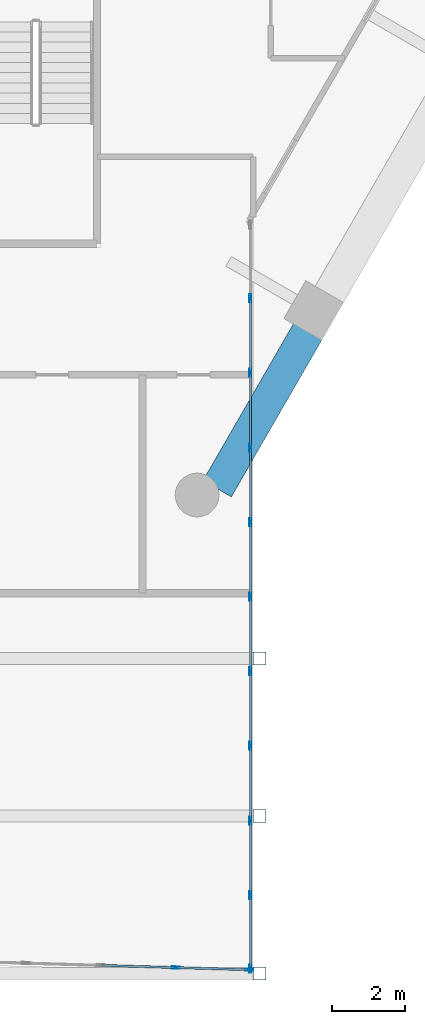
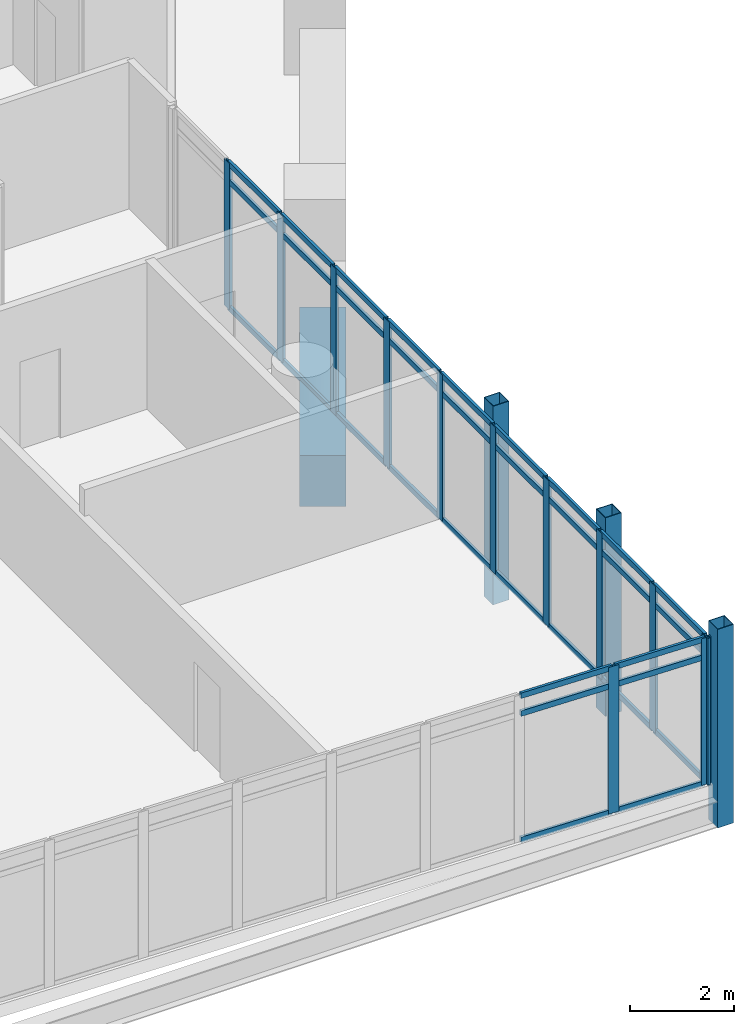
# One storey, part 10 of 28: 48 members, 1 beam, 2 elements without a shape of their own.
"""IFC4 building model written with IfcOpenShell, lengths in metres."""

from ifc_helpers import new_model, si_unit, direction, frame, origin, origin_2d, place, context, subcontext, project, spatial, rectangle, hollow_rectangle, extrude, material, material_profile, profile_set, type_object, element, aggregate, save


model = new_model("IFC4")

# Units and contexts
model_context = context("Model", 3, precision=1e-05, world=origin(), true_north=direction((0.0, 1.0)))
body_context = subcontext(model_context, "Body", "Model", "MODEL_VIEW")
ifc_project = project(units=[si_unit("LENGTHUNIT", "METRE"), si_unit("AREAUNIT", "SQUARE_METRE"), si_unit("VOLUMEUNIT", "CUBIC_METRE"), si_unit("PLANEANGLEUNIT", "RADIAN"), si_unit("MASSUNIT", "GRAM", prefix="KILO")], contexts=[model_context])

# Site, building, storey
site_placement = place(None, origin())
site = spatial("IfcSite", under=ifc_project, at=site_placement, CompositionType="ELEMENT")
building_placement = place(site_placement, origin())
building = spatial("IfcBuilding", under=site, at=building_placement, Name="Ostrander Bayou Hotel Tower", CompositionType="ELEMENT")
storey_placement = place(building_placement, frame((0.0, 0.0, 142.25)))
storey = spatial("IfcBuildingStorey", under=building, at=storey_placement, Name="L35", CompositionType="ELEMENT", Elevation=142.25)

# Curtain wall, members
ifc_material_1 = material(Name="Aluminium and clear glass", Category="aluminium")
curtain_wall_type = type_object("IfcCurtainWallType", Name="CW-BAR glazed wall", PredefinedType="NOTDEFINED", material=ifc_material_1)
curtain_wall_1_placement = place(storey_placement, origin())
curtain_wall_1 = element("IfcCurtainWall", 1, at=curtain_wall_1_placement, inside=storey, type_object=curtain_wall_type, Name="CW-BAR L35:SB3S:T", PredefinedType="NOTDEFINED")
ifc_material_2 = material(Name="Aluminium", Category="aluminium")
ifc_material_profile_1 = material_profile(ifc_material_2, hollow_rectangle(XDim=0.06005859375, YDim=0.219970703125, WallThickness=0.00390625, at=origin_2d()))
ifc_profile_set_1 = profile_set([ifc_material_profile_1], Name="Aluminium")
member_type_1 = type_object("IfcMemberType", Name="CW-BR mullion 60 x 220 mm", PredefinedType="MULLION", material=ifc_profile_set_1)
member_1_placement = place(storey_placement, frame((11.310791015625, -31.28662109375, 0.0), z_axis=(0.0, 0.0, 1.0), x_axis=(0.029746242041, 0.999557482631, 0.0)))
member_1 = element("IfcMember", 2, at=member_1_placement, type_object=member_type_1, Name="CW-BAR mullion 13", PredefinedType="MULLION", context=body_context, shape_type="SweptSolid", body=[
    extrude(hollow_rectangle(XDim=0.06005859375, YDim=0.219970703125, WallThickness=0.00390625, at=origin_2d()), origin(), (0.0, 0.0, 1.0), 3.449951171875),
])
member_2_placement = place(storey_placement, frame((13.337158203125, -31.346923828125, 0.0), z_axis=(0.0, 0.0, 1.0), x_axis=(0.029746242041, 0.999557482631, 0.0)))
member_2 = element("IfcMember", 3, at=member_2_placement, type_object=member_type_1, Name="CW-BAR mullion 14", PredefinedType="MULLION", context=body_context, shape_type="SweptSolid", body=[
    extrude(hollow_rectangle(XDim=0.06005859375, YDim=0.219970703125, WallThickness=0.00390625, at=origin_2d()), origin(), (0.0, 0.0, 1.0), 3.449951171875),
])

curtain_wall_2_placement = place(storey_placement, origin())
curtain_wall_2 = element("IfcCurtainWall", 4, at=curtain_wall_2_placement, inside=storey, type_object=curtain_wall_type, Name="CW-BAR L35:SB3S:W", PredefinedType="NOTDEFINED")
member_3_placement = place(storey_placement, frame((13.3671875, -12.8974609375, 0.0), z_axis=(0.0, 0.0, 1.0), x_axis=(1.0, 0.0, 0.0)))
member_3 = element("IfcMember", 5, at=member_3_placement, type_object=member_type_1, Name="CW-BAR mullion 2", PredefinedType="MULLION", context=body_context, shape_type="SweptSolid", body=[
    extrude(hollow_rectangle(XDim=0.06005859375, YDim=0.219970703125, WallThickness=0.00390625, at=origin_2d()), origin(), (0.0, 0.0, 1.0), 3.449951171875),
])
member_4_placement = place(storey_placement, frame((13.3671875, -14.947509765625, 0.0), z_axis=(0.0, 0.0, 1.0), x_axis=(1.0, 0.0, 0.0)))
member_4 = element("IfcMember", 6, at=member_4_placement, type_object=member_type_1, Name="CW-BAR mullion 3", PredefinedType="MULLION", context=body_context, shape_type="SweptSolid", body=[
    extrude(hollow_rectangle(XDim=0.06005859375, YDim=0.219970703125, WallThickness=0.00390625, at=origin_2d()), origin(), (0.0, 0.0, 1.0), 3.449951171875),
])
member_5_placement = place(storey_placement, frame((13.3671875, -16.99755859375, 0.0), z_axis=(0.0, 0.0, 1.0), x_axis=(1.0, 0.0, 0.0)))
member_5 = element("IfcMember", 7, at=member_5_placement, type_object=member_type_1, Name="CW-BAR mullion 4", PredefinedType="MULLION", context=body_context, shape_type="SweptSolid", body=[
    extrude(hollow_rectangle(XDim=0.06005859375, YDim=0.219970703125, WallThickness=0.00390625, at=origin_2d()), origin(), (0.0, 0.0, 1.0), 3.449951171875),
])
member_6_placement = place(storey_placement, frame((13.3671875, -19.047607421875, 0.0), z_axis=(0.0, 0.0, 1.0), x_axis=(1.0, 0.0, 0.0)))
member_6 = element("IfcMember", 8, at=member_6_placement, type_object=member_type_1, Name="CW-BAR mullion 5", PredefinedType="MULLION", context=body_context, shape_type="SweptSolid", body=[
    extrude(hollow_rectangle(XDim=0.06005859375, YDim=0.219970703125, WallThickness=0.00390625, at=origin_2d()), origin(), (0.0, 0.0, 1.0), 3.449951171875),
])
member_7_placement = place(storey_placement, frame((13.3671875, -21.09765625, 0.0), z_axis=(0.0, 0.0, 1.0), x_axis=(1.0, 0.0, 0.0)))
member_7 = element("IfcMember", 9, at=member_7_placement, type_object=member_type_1, Name="CW-BAR mullion 6", PredefinedType="MULLION", context=body_context, shape_type="SweptSolid", body=[
    extrude(hollow_rectangle(XDim=0.06005859375, YDim=0.219970703125, WallThickness=0.00390625, at=origin_2d()), origin(), (0.0, 0.0, 1.0), 3.449951171875),
])
member_8_placement = place(storey_placement, frame((13.3671875, -23.147705078125, 0.0), z_axis=(0.0, 0.0, 1.0), x_axis=(1.0, 0.0, 0.0)))
member_8 = element("IfcMember", 10, at=member_8_placement, type_object=member_type_1, Name="CW-BAR mullion 7", PredefinedType="MULLION", context=body_context, shape_type="SweptSolid", body=[
    extrude(hollow_rectangle(XDim=0.06005859375, YDim=0.219970703125, WallThickness=0.00390625, at=origin_2d()), origin(), (0.0, 0.0, 1.0), 3.449951171875),
])
member_9_placement = place(storey_placement, frame((13.3671875, -25.19775390625, 0.0), z_axis=(0.0, 0.0, 1.0), x_axis=(1.0, 0.0, 0.0)))
member_9 = element("IfcMember", 11, at=member_9_placement, type_object=member_type_1, Name="CW-BAR mullion 8", PredefinedType="MULLION", context=body_context, shape_type="SweptSolid", body=[
    extrude(hollow_rectangle(XDim=0.06005859375, YDim=0.219970703125, WallThickness=0.00390625, at=origin_2d()), origin(), (0.0, 0.0, 1.0), 3.449951171875),
])
member_10_placement = place(storey_placement, frame((13.3671875, -27.247802734375, 0.0), z_axis=(0.0, 0.0, 1.0), x_axis=(1.0, 0.0, 0.0)))
member_10 = element("IfcMember", 12, at=member_10_placement, type_object=member_type_1, Name="CW-BAR mullion 9", PredefinedType="MULLION", context=body_context, shape_type="SweptSolid", body=[
    extrude(hollow_rectangle(XDim=0.06005859375, YDim=0.219970703125, WallThickness=0.00390625, at=origin_2d()), origin(), (0.0, 0.0, 1.0), 3.449951171875),
])
member_11_placement = place(storey_placement, frame((13.3671875, -29.2978515625, 0.0), z_axis=(0.0, 0.0, 1.0), x_axis=(1.0, 0.0, 0.0)))
member_11 = element("IfcMember", 13, at=member_11_placement, type_object=member_type_1, Name="CW-BAR mullion 10", PredefinedType="MULLION", context=body_context, shape_type="SweptSolid", body=[
    extrude(hollow_rectangle(XDim=0.06005859375, YDim=0.219970703125, WallThickness=0.00390625, at=origin_2d()), origin(), (0.0, 0.0, 1.0), 3.449951171875),
])
member_12_placement = place(storey_placement, frame((13.3671875, -31.31787109375, 0.0), z_axis=(0.0, 0.0, 1.0), x_axis=(1.0, 0.0, 0.0)))
member_12 = element("IfcMember", 14, at=member_12_placement, type_object=member_type_1, Name="CW-BAR mullion 11", PredefinedType="MULLION", context=body_context, shape_type="SweptSolid", body=[
    extrude(hollow_rectangle(XDim=0.06005859375, YDim=0.219970703125, WallThickness=0.00390625, at=origin_2d()), origin(), (0.0, 0.0, 1.0), 3.449951171875),
])

# Member
ifc_material_3 = material(Name="Aluminium", Category="aluminium")
ifc_material_profile_2 = material_profile(ifc_material_3, hollow_rectangle(XDim=0.06005859375, YDim=0.1298828125, WallThickness=0.00390625, at=origin_2d()))
ifc_profile_set_2 = profile_set([ifc_material_profile_2], Name="Aluminium")
member_type_2 = type_object("IfcMemberType", Name="CW-BR transom 60 x 130 mm", PredefinedType="USERDEFINED", material=ifc_profile_set_2)
member_13_placement = place(storey_placement, frame((9.2841796875, -31.226318359375, 0.030029296875), z_axis=(0.999558835181, -0.029700757758, 0.0), x_axis=(0.029700757758, 0.999558835181, 0.0)))
member_13 = element("IfcMember", 15, at=member_13_placement, type_object=member_type_2, Name="CW-BAR transom 12.1", ObjectType="TRANSOM", PredefinedType="USERDEFINED", context=body_context, shape_type="SweptSolid", body=[
    extrude(hollow_rectangle(XDim=0.06005859375, YDim=0.1298828125, WallThickness=0.00390625, at=origin_2d()), origin(), (0.0, 0.0, 1.0), 1.99755859375),
])

member_14_placement = place(storey_placement, frame((9.2841796875, -31.226318359375, 3.0), z_axis=(0.999558835181, -0.029700757758, 0.0), x_axis=(0.029700757758, 0.999558835181, 0.0)))
member_14 = element("IfcMember", 16, at=member_14_placement, type_object=member_type_2, Name="CW-BAR transom 12.2", ObjectType="TRANSOM", PredefinedType="USERDEFINED", context=body_context, shape_type="SweptSolid", body=[
    extrude(hollow_rectangle(XDim=0.06005859375, YDim=0.1298828125, WallThickness=0.00390625, at=origin_2d()), origin(), (0.0, 0.0, 1.0), 1.99755859375),
])

member_15_placement = place(storey_placement, frame((9.2841796875, -31.226318359375, 3.419921875), z_axis=(0.999558835181, -0.029700757758, 0.0), x_axis=(0.029700757758, 0.999558835181, 0.0)))
member_15 = element("IfcMember", 17, at=member_15_placement, type_object=member_type_2, Name="CW-BAR transom 12.3", ObjectType="TRANSOM", PredefinedType="USERDEFINED", context=body_context, shape_type="SweptSolid", body=[
    extrude(hollow_rectangle(XDim=0.06005859375, YDim=0.1298828125, WallThickness=0.00390625, at=origin_2d()), origin(), (0.0, 0.0, 1.0), 1.99755859375),
])

member_16_placement = place(storey_placement, frame((11.340576171875, -31.28759765625, 0.030029296875), z_axis=(0.99956010596, -0.029657959693, 0.0), x_axis=(0.029657959693, 0.99956010596, 0.0)))
member_16 = element("IfcMember", 18, at=member_16_placement, type_object=member_type_2, Name="CW-BAR transom 13.1", ObjectType="TRANSOM", PredefinedType="USERDEFINED", context=body_context, shape_type="SweptSolid", body=[
    extrude(hollow_rectangle(XDim=0.06005859375, YDim=0.1298828125, WallThickness=0.00390625, at=origin_2d()), origin(), (0.0, 0.0, 1.0), 1.967529296875),
])

member_17_placement = place(storey_placement, frame((11.340576171875, -31.28759765625, 3.0), z_axis=(0.99956010596, -0.029657959693, 0.0), x_axis=(0.029657959693, 0.99956010596, 0.0)))
member_17 = element("IfcMember", 19, at=member_17_placement, type_object=member_type_2, Name="CW-BAR transom 13.2", ObjectType="TRANSOM", PredefinedType="USERDEFINED", context=body_context, shape_type="SweptSolid", body=[
    extrude(hollow_rectangle(XDim=0.06005859375, YDim=0.1298828125, WallThickness=0.00390625, at=origin_2d()), origin(), (0.0, 0.0, 1.0), 1.967529296875),
])

member_18_placement = place(storey_placement, frame((11.340576171875, -31.28759765625, 3.419921875), z_axis=(0.99956010596, -0.029657959693, 0.0), x_axis=(0.029657959693, 0.99956010596, 0.0)))
member_18 = element("IfcMember", 20, at=member_18_placement, type_object=member_type_2, Name="CW-BAR transom 13.3", ObjectType="TRANSOM", PredefinedType="USERDEFINED", context=body_context, shape_type="SweptSolid", body=[
    extrude(hollow_rectangle(XDim=0.06005859375, YDim=0.1298828125, WallThickness=0.00390625, at=origin_2d()), origin(), (0.0, 0.0, 1.0), 1.967529296875),
])

aggregate(curtain_wall_1, [member_1, member_2, member_13, member_14, member_15, member_16, member_17, member_18])

member_19_placement = place(storey_placement, frame((13.3671875, -12.92724609375, 0.030029296875), z_axis=(0.0, -1.0, 0.0), x_axis=(1.0, 0.0, 0.0)))
member_19 = element("IfcMember", 21, at=member_19_placement, type_object=member_type_2, Name="CW-BAR transom 2.1", ObjectType="TRANSOM", PredefinedType="USERDEFINED", context=body_context, shape_type="SweptSolid", body=[
    extrude(hollow_rectangle(XDim=0.06005859375, YDim=0.1298828125, WallThickness=0.00390625, at=origin_2d()), origin(), (0.0, 0.0, 1.0), 1.990234375),
])

member_20_placement = place(storey_placement, frame((13.3671875, -12.92724609375, 3.0), z_axis=(0.0, -1.0, 0.0), x_axis=(1.0, 0.0, 0.0)))
member_20 = element("IfcMember", 22, at=member_20_placement, type_object=member_type_2, Name="CW-BAR transom 2.2", ObjectType="TRANSOM", PredefinedType="USERDEFINED", context=body_context, shape_type="SweptSolid", body=[
    extrude(hollow_rectangle(XDim=0.06005859375, YDim=0.1298828125, WallThickness=0.00390625, at=origin_2d()), origin(), (0.0, 0.0, 1.0), 1.990234375),
])

member_21_placement = place(storey_placement, frame((13.3671875, -12.92724609375, 3.419921875), z_axis=(0.0, -1.0, 0.0), x_axis=(1.0, 0.0, 0.0)))
member_21 = element("IfcMember", 23, at=member_21_placement, type_object=member_type_2, Name="CW-BAR transom 2.3", ObjectType="TRANSOM", PredefinedType="USERDEFINED", context=body_context, shape_type="SweptSolid", body=[
    extrude(hollow_rectangle(XDim=0.06005859375, YDim=0.1298828125, WallThickness=0.00390625, at=origin_2d()), origin(), (0.0, 0.0, 1.0), 1.990234375),
])

member_22_placement = place(storey_placement, frame((13.3671875, -14.977294921875, 0.030029296875), z_axis=(0.0, -1.0, 0.0), x_axis=(1.0, 0.0, 0.0)))
member_22 = element("IfcMember", 24, at=member_22_placement, type_object=member_type_2, Name="CW-BAR transom 3.1", ObjectType="TRANSOM", PredefinedType="USERDEFINED", context=body_context, shape_type="SweptSolid", body=[
    extrude(hollow_rectangle(XDim=0.06005859375, YDim=0.1298828125, WallThickness=0.00390625, at=origin_2d()), origin(), (0.0, 0.0, 1.0), 1.990234375),
])

member_23_placement = place(storey_placement, frame((13.3671875, -14.977294921875, 3.0), z_axis=(0.0, -1.0, 0.0), x_axis=(1.0, 0.0, 0.0)))
member_23 = element("IfcMember", 25, at=member_23_placement, type_object=member_type_2, Name="CW-BAR transom 3.2", ObjectType="TRANSOM", PredefinedType="USERDEFINED", context=body_context, shape_type="SweptSolid", body=[
    extrude(hollow_rectangle(XDim=0.06005859375, YDim=0.1298828125, WallThickness=0.00390625, at=origin_2d()), origin(), (0.0, 0.0, 1.0), 1.990234375),
])

member_24_placement = place(storey_placement, frame((13.3671875, -14.977294921875, 3.419921875), z_axis=(0.0, -1.0, 0.0), x_axis=(1.0, 0.0, 0.0)))
member_24 = element("IfcMember", 26, at=member_24_placement, type_object=member_type_2, Name="CW-BAR transom 3.3", ObjectType="TRANSOM", PredefinedType="USERDEFINED", context=body_context, shape_type="SweptSolid", body=[
    extrude(hollow_rectangle(XDim=0.06005859375, YDim=0.1298828125, WallThickness=0.00390625, at=origin_2d()), origin(), (0.0, 0.0, 1.0), 1.990234375),
])

member_25_placement = place(storey_placement, frame((13.3671875, -17.02734375, 0.030029296875), z_axis=(0.0, -1.0, 0.0), x_axis=(1.0, 0.0, 0.0)))
member_25 = element("IfcMember", 27, at=member_25_placement, type_object=member_type_2, Name="CW-BAR transom 4.1", ObjectType="TRANSOM", PredefinedType="USERDEFINED", context=body_context, shape_type="SweptSolid", body=[
    extrude(hollow_rectangle(XDim=0.06005859375, YDim=0.1298828125, WallThickness=0.00390625, at=origin_2d()), origin(), (0.0, 0.0, 1.0), 1.990234375),
])

member_26_placement = place(storey_placement, frame((13.3671875, -17.02734375, 3.0), z_axis=(0.0, -1.0, 0.0), x_axis=(1.0, 0.0, 0.0)))
member_26 = element("IfcMember", 28, at=member_26_placement, type_object=member_type_2, Name="CW-BAR transom 4.2", ObjectType="TRANSOM", PredefinedType="USERDEFINED", context=body_context, shape_type="SweptSolid", body=[
    extrude(hollow_rectangle(XDim=0.06005859375, YDim=0.1298828125, WallThickness=0.00390625, at=origin_2d()), origin(), (0.0, 0.0, 1.0), 1.990234375),
])

member_27_placement = place(storey_placement, frame((13.3671875, -17.02734375, 3.419921875), z_axis=(0.0, -1.0, 0.0), x_axis=(1.0, 0.0, 0.0)))
member_27 = element("IfcMember", 29, at=member_27_placement, type_object=member_type_2, Name="CW-BAR transom 4.3", ObjectType="TRANSOM", PredefinedType="USERDEFINED", context=body_context, shape_type="SweptSolid", body=[
    extrude(hollow_rectangle(XDim=0.06005859375, YDim=0.1298828125, WallThickness=0.00390625, at=origin_2d()), origin(), (0.0, 0.0, 1.0), 1.990234375),
])

member_28_placement = place(storey_placement, frame((13.3671875, -19.077392578125, 0.030029296875), z_axis=(0.0, -1.0, 0.0), x_axis=(1.0, 0.0, 0.0)))
member_28 = element("IfcMember", 30, at=member_28_placement, type_object=member_type_2, Name="CW-BAR transom 5.1", ObjectType="TRANSOM", PredefinedType="USERDEFINED", context=body_context, shape_type="SweptSolid", body=[
    extrude(hollow_rectangle(XDim=0.06005859375, YDim=0.1298828125, WallThickness=0.00390625, at=origin_2d()), origin(), (0.0, 0.0, 1.0), 1.990234375),
])

member_29_placement = place(storey_placement, frame((13.3671875, -19.077392578125, 3.0), z_axis=(0.0, -1.0, 0.0), x_axis=(1.0, 0.0, 0.0)))
member_29 = element("IfcMember", 31, at=member_29_placement, type_object=member_type_2, Name="CW-BAR transom 5.2", ObjectType="TRANSOM", PredefinedType="USERDEFINED", context=body_context, shape_type="SweptSolid", body=[
    extrude(hollow_rectangle(XDim=0.06005859375, YDim=0.1298828125, WallThickness=0.00390625, at=origin_2d()), origin(), (0.0, 0.0, 1.0), 1.990234375),
])

member_30_placement = place(storey_placement, frame((13.3671875, -19.077392578125, 3.419921875), z_axis=(0.0, -1.0, 0.0), x_axis=(1.0, 0.0, 0.0)))
member_30 = element("IfcMember", 32, at=member_30_placement, type_object=member_type_2, Name="CW-BAR transom 5.3", ObjectType="TRANSOM", PredefinedType="USERDEFINED", context=body_context, shape_type="SweptSolid", body=[
    extrude(hollow_rectangle(XDim=0.06005859375, YDim=0.1298828125, WallThickness=0.00390625, at=origin_2d()), origin(), (0.0, 0.0, 1.0), 1.990234375),
])

member_31_placement = place(storey_placement, frame((13.3671875, -21.12744140625, 0.030029296875), z_axis=(0.0, -1.0, 0.0), x_axis=(1.0, 0.0, 0.0)))
member_31 = element("IfcMember", 33, at=member_31_placement, type_object=member_type_2, Name="CW-BAR transom 6.1", ObjectType="TRANSOM", PredefinedType="USERDEFINED", context=body_context, shape_type="SweptSolid", body=[
    extrude(hollow_rectangle(XDim=0.06005859375, YDim=0.1298828125, WallThickness=0.00390625, at=origin_2d()), origin(), (0.0, 0.0, 1.0), 1.990234375),
])

member_32_placement = place(storey_placement, frame((13.3671875, -21.12744140625, 3.0), z_axis=(0.0, -1.0, 0.0), x_axis=(1.0, 0.0, 0.0)))
member_32 = element("IfcMember", 34, at=member_32_placement, type_object=member_type_2, Name="CW-BAR transom 6.2", ObjectType="TRANSOM", PredefinedType="USERDEFINED", context=body_context, shape_type="SweptSolid", body=[
    extrude(hollow_rectangle(XDim=0.06005859375, YDim=0.1298828125, WallThickness=0.00390625, at=origin_2d()), origin(), (0.0, 0.0, 1.0), 1.990234375),
])

member_33_placement = place(storey_placement, frame((13.3671875, -21.12744140625, 3.419921875), z_axis=(0.0, -1.0, 0.0), x_axis=(1.0, 0.0, 0.0)))
member_33 = element("IfcMember", 35, at=member_33_placement, type_object=member_type_2, Name="CW-BAR transom 6.3", ObjectType="TRANSOM", PredefinedType="USERDEFINED", context=body_context, shape_type="SweptSolid", body=[
    extrude(hollow_rectangle(XDim=0.06005859375, YDim=0.1298828125, WallThickness=0.00390625, at=origin_2d()), origin(), (0.0, 0.0, 1.0), 1.990234375),
])

member_34_placement = place(storey_placement, frame((13.3671875, -23.177490234375, 0.030029296875), z_axis=(0.0, -1.0, 0.0), x_axis=(1.0, 0.0, 0.0)))
member_34 = element("IfcMember", 36, at=member_34_placement, type_object=member_type_2, Name="CW-BAR transom 7.1", ObjectType="TRANSOM", PredefinedType="USERDEFINED", context=body_context, shape_type="SweptSolid", body=[
    extrude(hollow_rectangle(XDim=0.06005859375, YDim=0.1298828125, WallThickness=0.00390625, at=origin_2d()), origin(), (0.0, 0.0, 1.0), 1.990234375),
])

member_35_placement = place(storey_placement, frame((13.3671875, -23.177490234375, 3.0), z_axis=(0.0, -1.0, 0.0), x_axis=(1.0, 0.0, 0.0)))
member_35 = element("IfcMember", 37, at=member_35_placement, type_object=member_type_2, Name="CW-BAR transom 7.2", ObjectType="TRANSOM", PredefinedType="USERDEFINED", context=body_context, shape_type="SweptSolid", body=[
    extrude(hollow_rectangle(XDim=0.06005859375, YDim=0.1298828125, WallThickness=0.00390625, at=origin_2d()), origin(), (0.0, 0.0, 1.0), 1.990234375),
])

member_36_placement = place(storey_placement, frame((13.3671875, -23.177490234375, 3.419921875), z_axis=(0.0, -1.0, 0.0), x_axis=(1.0, 0.0, 0.0)))
member_36 = element("IfcMember", 38, at=member_36_placement, type_object=member_type_2, Name="CW-BAR transom 7.3", ObjectType="TRANSOM", PredefinedType="USERDEFINED", context=body_context, shape_type="SweptSolid", body=[
    extrude(hollow_rectangle(XDim=0.06005859375, YDim=0.1298828125, WallThickness=0.00390625, at=origin_2d()), origin(), (0.0, 0.0, 1.0), 1.990234375),
])

member_37_placement = place(storey_placement, frame((13.3671875, -25.2275390625, 0.030029296875), z_axis=(0.0, -1.0, 0.0), x_axis=(1.0, 0.0, 0.0)))
member_37 = element("IfcMember", 39, at=member_37_placement, type_object=member_type_2, Name="CW-BAR transom 8.1", ObjectType="TRANSOM", PredefinedType="USERDEFINED", context=body_context, shape_type="SweptSolid", body=[
    extrude(hollow_rectangle(XDim=0.06005859375, YDim=0.1298828125, WallThickness=0.00390625, at=origin_2d()), origin(), (0.0, 0.0, 1.0), 1.990234375),
])

member_38_placement = place(storey_placement, frame((13.3671875, -25.2275390625, 3.0), z_axis=(0.0, -1.0, 0.0), x_axis=(1.0, 0.0, 0.0)))
member_38 = element("IfcMember", 40, at=member_38_placement, type_object=member_type_2, Name="CW-BAR transom 8.2", ObjectType="TRANSOM", PredefinedType="USERDEFINED", context=body_context, shape_type="SweptSolid", body=[
    extrude(hollow_rectangle(XDim=0.06005859375, YDim=0.1298828125, WallThickness=0.00390625, at=origin_2d()), origin(), (0.0, 0.0, 1.0), 1.990234375),
])

member_39_placement = place(storey_placement, frame((13.3671875, -25.2275390625, 3.419921875), z_axis=(0.0, -1.0, 0.0), x_axis=(1.0, 0.0, 0.0)))
member_39 = element("IfcMember", 41, at=member_39_placement, type_object=member_type_2, Name="CW-BAR transom 8.3", ObjectType="TRANSOM", PredefinedType="USERDEFINED", context=body_context, shape_type="SweptSolid", body=[
    extrude(hollow_rectangle(XDim=0.06005859375, YDim=0.1298828125, WallThickness=0.00390625, at=origin_2d()), origin(), (0.0, 0.0, 1.0), 1.990234375),
])

member_40_placement = place(storey_placement, frame((13.3671875, -27.277587890625, 0.030029296875), z_axis=(0.0, -1.0, 0.0), x_axis=(1.0, 0.0, 0.0)))
member_40 = element("IfcMember", 42, at=member_40_placement, type_object=member_type_2, Name="CW-BAR transom 9.1", ObjectType="TRANSOM", PredefinedType="USERDEFINED", context=body_context, shape_type="SweptSolid", body=[
    extrude(hollow_rectangle(XDim=0.06005859375, YDim=0.1298828125, WallThickness=0.00390625, at=origin_2d()), origin(), (0.0, 0.0, 1.0), 1.990234375),
])

member_41_placement = place(storey_placement, frame((13.3671875, -27.277587890625, 3.0), z_axis=(0.0, -1.0, 0.0), x_axis=(1.0, 0.0, 0.0)))
member_41 = element("IfcMember", 43, at=member_41_placement, type_object=member_type_2, Name="CW-BAR transom 9.2", ObjectType="TRANSOM", PredefinedType="USERDEFINED", context=body_context, shape_type="SweptSolid", body=[
    extrude(hollow_rectangle(XDim=0.06005859375, YDim=0.1298828125, WallThickness=0.00390625, at=origin_2d()), origin(), (0.0, 0.0, 1.0), 1.990234375),
])

member_42_placement = place(storey_placement, frame((13.3671875, -27.277587890625, 3.419921875), z_axis=(0.0, -1.0, 0.0), x_axis=(1.0, 0.0, 0.0)))
member_42 = element("IfcMember", 44, at=member_42_placement, type_object=member_type_2, Name="CW-BAR transom 9.3", ObjectType="TRANSOM", PredefinedType="USERDEFINED", context=body_context, shape_type="SweptSolid", body=[
    extrude(hollow_rectangle(XDim=0.06005859375, YDim=0.1298828125, WallThickness=0.00390625, at=origin_2d()), origin(), (0.0, 0.0, 1.0), 1.990234375),
])

member_43_placement = place(storey_placement, frame((13.3671875, -29.32763671875, 0.030029296875), z_axis=(0.0, -1.0, 0.0), x_axis=(1.0, 0.0, 0.0)))
member_43 = element("IfcMember", 45, at=member_43_placement, type_object=member_type_2, Name="CW-BAR transom 10.1", ObjectType="TRANSOM", PredefinedType="USERDEFINED", context=body_context, shape_type="SweptSolid", body=[
    extrude(hollow_rectangle(XDim=0.06005859375, YDim=0.1298828125, WallThickness=0.00390625, at=origin_2d()), origin(), (0.0, 0.0, 1.0), 1.960205078125),
])

member_44_placement = place(storey_placement, frame((13.3671875, -29.32763671875, 3.0), z_axis=(0.0, -1.0, 0.0), x_axis=(1.0, 0.0, 0.0)))
member_44 = element("IfcMember", 46, at=member_44_placement, type_object=member_type_2, Name="CW-BAR transom 10.2", ObjectType="TRANSOM", PredefinedType="USERDEFINED", context=body_context, shape_type="SweptSolid", body=[
    extrude(hollow_rectangle(XDim=0.06005859375, YDim=0.1298828125, WallThickness=0.00390625, at=origin_2d()), origin(), (0.0, 0.0, 1.0), 1.960205078125),
])

member_45_placement = place(storey_placement, frame((13.3671875, -29.32763671875, 3.419921875), z_axis=(0.0, -1.0, 0.0), x_axis=(1.0, 0.0, 0.0)))
member_45 = element("IfcMember", 47, at=member_45_placement, type_object=member_type_2, Name="CW-BAR transom 10.3", ObjectType="TRANSOM", PredefinedType="USERDEFINED", context=body_context, shape_type="SweptSolid", body=[
    extrude(hollow_rectangle(XDim=0.06005859375, YDim=0.1298828125, WallThickness=0.00390625, at=origin_2d()), origin(), (0.0, 0.0, 1.0), 1.960205078125),
])

aggregate(curtain_wall_2, [member_3, member_4, member_5, member_6, member_7, member_8, member_9, member_10, member_11, member_12, member_19, member_20, member_21, member_22, member_23, member_24, member_25, member_26, member_27, member_28, member_29, member_30, member_31, member_32, member_33, member_34, member_35, member_36, member_37, member_38, member_39, member_40, member_41, member_42, member_43, member_44, member_45])

# Beam
ifc_material_4 = material(Name="Concrete f'c 70 MPa", Category="concrete")
ifc_material_profile_3 = material_profile(ifc_material_4, rectangle(XDim=0.89990234375, YDim=1.199951171875, at=origin_2d()))
ifc_profile_set_3 = profile_set([ifc_material_profile_3], Name="Concrete f'c 70 MPa")
beam_type = type_object("IfcBeamType", Name="SP2 spandrel beam 900 x 1200 mm f'c 70 MPa", PredefinedType="SPANDREL", material=ifc_profile_set_3)
beam_placement = place(storey_placement, frame((12.45361328125, -18.1298828125, -0.60009765625), z_axis=(0.499974782844, 0.866039962427, 0.0), x_axis=(-0.866039962427, 0.499974782844, 0.0)))
element("IfcBeam", 48, at=beam_placement, inside=storey, type_object=beam_type, Name="SP2 L35 SE-1", PredefinedType="SPANDREL", context=body_context, shape_type="SweptSolid", body=[
    extrude(rectangle(XDim=0.89990234375, YDim=1.199951171875, at=origin_2d()), origin(), (0.0, 0.0, 1.0), 4.997314453125),
])

# Members
ifc_material_5 = material(Name="Steel ASTM A500 Gr C", Category="steel")
ifc_material_profile_4 = material_profile(ifc_material_5, hollow_rectangle(XDim=0.355712890625, YDim=0.355712890625, WallThickness=0.0146484375, at=origin_2d()))
ifc_profile_set_4 = profile_set([ifc_material_profile_4], Name="Steel ASTM A500 Gr C")
member_type_3 = type_object("IfcMemberType", Name="TH1 bar hanger HSS14x14x5/8", PredefinedType="POST", material=ifc_profile_set_4)
for number, where, z_axis, x_axis, name in (
    (49, (13.6201171875, -22.794677734375, -0.921875), (0.0, 0.0, 1.0), (1.0, 0.0, 0.0), "TH1 SB3SB H1-4"),
    (50, (13.6201171875, -27.122314453125, -0.921875), (0.0, 0.0, 1.0), (1.0, 0.0, 0.0), "TH1 SB3SB H2-4"),
    (51, (13.6201171875, -31.449951171875, -0.921875), (0.0, 0.0, 1.0), (1.0, 0.0, 0.0), "TH1 SB3SB H3-4"),
):
    element("IfcMember", number, at=place(storey_placement, frame(where, z_axis=z_axis, x_axis=x_axis)), inside=storey, type_object=member_type_3, Name=name, PredefinedType="POST", context=body_context, shape_type="SweptSolid", body=[
        extrude(hollow_rectangle(XDim=0.355712890625, YDim=0.355712890625, WallThickness=0.0146484375, at=origin_2d()), origin(), (0.0, 0.0, 1.0), 4.671875),
    ])

save(model, "model.ifc")
